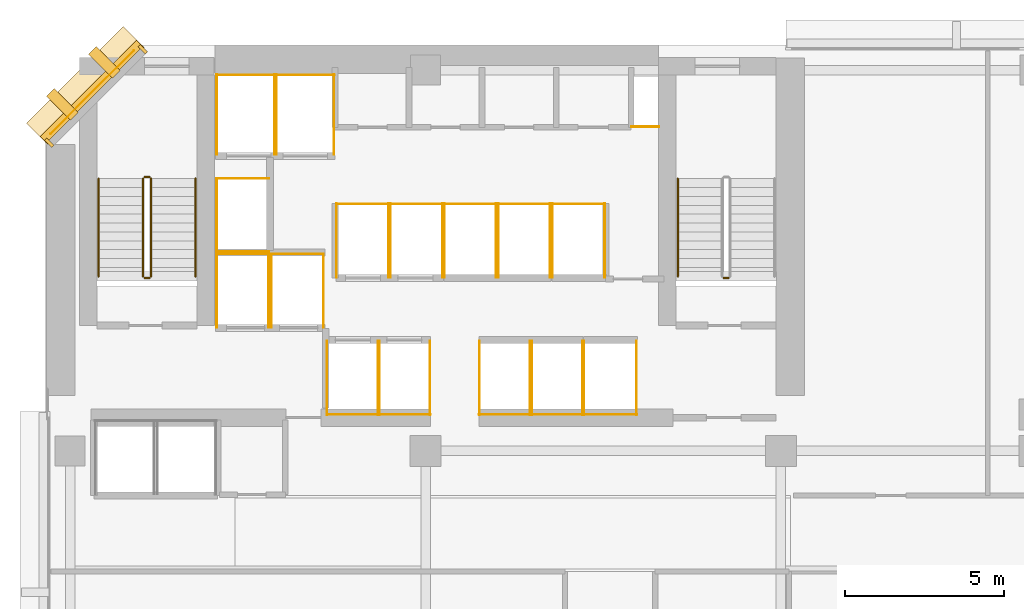
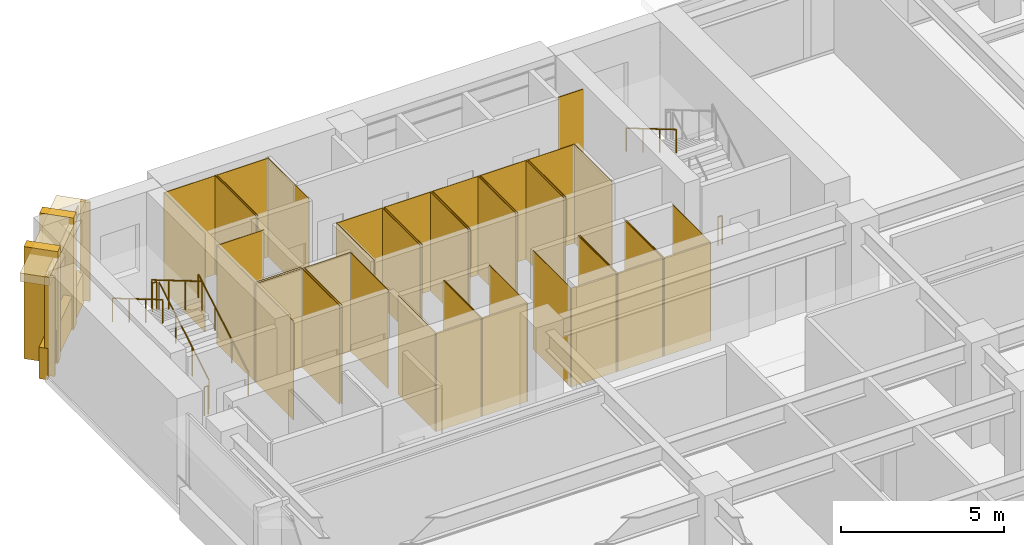
# One storey, part 11 of 13: 53 coverings, 8 railings.
"""IFC4 building model written with IfcOpenShell, lengths in metres."""

from ifc_helpers import new_model, si_unit, direction, frame, origin, origin_2d, place, context, subcontext, project, spatial, polyline, rectangle, circle, outline, extrude, material, layer, layer_set, type_object, element, save


model = new_model("IFC4")

# Units and contexts
model_context = context("Model", 3, precision=1e-05, world=origin(), true_north=direction((0.0, 1.0)))
body_context = subcontext(model_context, "Body", "Model", "MODEL_VIEW")
ifc_project = project(units=[si_unit("LENGTHUNIT", "METRE"), si_unit("AREAUNIT", "SQUARE_METRE"), si_unit("VOLUMEUNIT", "CUBIC_METRE"), si_unit("PLANEANGLEUNIT", "RADIAN"), si_unit("MASSUNIT", "GRAM", prefix="KILO")], contexts=[model_context])

# Site, building, storey
site_placement = place(None, origin())
site = spatial("IfcSite", under=ifc_project, at=site_placement, CompositionType="ELEMENT")
building_placement = place(site_placement, origin())
building = spatial("IfcBuilding", under=site, at=building_placement, Name="Kefirva Bronze Tower", CompositionType="ELEMENT")
storey_placement = place(building_placement, frame((0.0, 0.0, 73.919921875)))
storey = spatial("IfcBuildingStorey", under=building, at=storey_placement, Name="L17", CompositionType="ELEMENT", Elevation=73.919921875)

# Coverings
ifc_material_1 = material(Name="Bronze anodised aluminium", Category="aluminium")
ifc_layer_1 = layer(ifc_material_1, 0.02001953125, Name="Bronze anodised aluminium")
ifc_layer_set_1 = layer_set([ifc_layer_1], Name="Bronze anodised aluminium")
covering_type_1 = type_object("IfcCoveringType", Name="Anodised Bronze Spandrel Cladding 20mm", PredefinedType="CLADDING", material=ifc_layer_set_1)
covering_1_placement = place(storey_placement, frame((1.492919921875, 44.507080078125, 3.2900390625), z_axis=(0.0, 0.0, 1.0), x_axis=(-0.707106781187, -0.707106781187, 0.0)))
element("IfcCovering", 1, at=covering_1_placement, inside=storey, type_object=covering_type_1, Name="L17 Bronze Spandrel Cladding 6", PredefinedType="CLADDING", context=body_context, shape_type="SweptSolid", body=[
    extrude(rectangle(XDim=3.719482421875, YDim=0.02001953125, at=origin_2d()), origin(), (0.0, 0.0, 1.0), 0.39990234375),
])
for number, where, z_axis, x_axis, name in (
    (2, (3.08837890625, 45.862060546875, 0.0), (0.0, 0.0, 1.0), (-0.707106781187, -0.707106781187, 0.0), "L17 Facade Joint Closure Panel 6S"),
    (3, (0.137939453125, 42.91162109375, 0.0), (0.0, 0.0, 1.0), (-0.707106781187, -0.707106781187, 0.0), "L17 Facade Joint Closure Panel 6E"),
):
    element("IfcCovering", number, at=place(storey_placement, frame(where, z_axis=z_axis, x_axis=x_axis)), inside=storey, type_object=covering_type_1, Name=name, PredefinedType="CLADDING", context=body_context, shape_type="SweptSolid", body=[
        extrude(rectangle(XDim=0.10009765625, YDim=0.320068359375, at=origin_2d()), origin(), (0.0, 0.0, 1.0), 3.7099609375),
    ])
covering_2_placement = place(storey_placement, frame((1.4716796875, 44.5283203125, -0.15966796875), z_axis=(0.0, 0.0, 1.0), x_axis=(-0.707106781187, -0.707106781187, 0.0)))
element("IfcCovering", 4, at=covering_2_placement, inside=storey, type_object=covering_type_1, Name="L17 Streamline Horizontal Spandrel Band 9", PredefinedType="CLADDING", context=body_context, shape_type="SweptSolid", body=[
    extrude(rectangle(XDim=4.28271484375, YDim=0.280029296875, at=origin_2d()), origin(), (0.0, 0.0, 1.0), 1.179931640625),
])
covering_3_placement = place(storey_placement, origin())
element("IfcCovering", 5, at=covering_3_placement, inside=storey, type_object=covering_type_1, Name="L17 Lift FF1 Hoistway Liner N", PredefinedType="CLADDING", context=body_context, shape_type="SweptSolid", body=[
    extrude(outline(polyline([(5.39990234375, 39.389892578125), (7.080078125, 39.389892578125), (7.080078125, 39.409912109375), (5.39990234375, 39.409912109375), (5.39990234375, 39.389892578125)])), origin(), (0.0, 0.0, 1.0), 3.7099609375),
])
covering_4_placement = place(storey_placement, origin())
element("IfcCovering", 6, at=covering_4_placement, inside=storey, type_object=covering_type_1, Name="L17 Lift FF1 Hoistway Liner W", PredefinedType="CLADDING", context=body_context, shape_type="SweptSolid", body=[
    extrude(outline(polyline([(5.409912109375, 37.080078125), (5.429931640625, 37.080078125), (5.429931640625, 39.419921875), (5.409912109375, 39.419921875), (5.409912109375, 37.080078125)])), origin(), (0.0, 0.0, 1.0), 3.7099609375),
])
covering_5_placement = place(storey_placement, origin())
element("IfcCovering", 7, at=covering_5_placement, inside=storey, type_object=covering_type_1, Name="L17 Lift FF1 Hoistway Liner E", PredefinedType="CLADDING", context=body_context, shape_type="SweptSolid", body=[
    extrude(outline(polyline([(7.050048828125, 37.080078125), (7.070068359375, 37.080078125), (7.070068359375, 39.419921875), (7.050048828125, 39.419921875), (7.050048828125, 37.080078125)])), origin(), (0.0, 0.0, 1.0), 3.7099609375),
])
covering_6_placement = place(storey_placement, origin())
element("IfcCovering", 8, at=covering_6_placement, inside=storey, type_object=covering_type_1, Name="L17 Lift FF2 Hoistway Liner N", PredefinedType="CLADDING", context=body_context, shape_type="SweptSolid", body=[
    extrude(outline(polyline([(7.1201171875, 39.389892578125), (8.800048828125, 39.389892578125), (8.800048828125, 39.409912109375), (7.1201171875, 39.409912109375), (7.1201171875, 39.389892578125)])), origin(), (0.0, 0.0, 1.0), 3.7099609375),
])
covering_7_placement = place(storey_placement, origin())
element("IfcCovering", 9, at=covering_7_placement, inside=storey, type_object=covering_type_1, Name="L17 Lift FF2 Hoistway Liner W", PredefinedType="CLADDING", context=body_context, shape_type="SweptSolid", body=[
    extrude(outline(polyline([(7.1298828125, 37.080078125), (7.14990234375, 37.080078125), (7.14990234375, 39.419921875), (7.1298828125, 39.419921875), (7.1298828125, 37.080078125)])), origin(), (0.0, 0.0, 1.0), 3.7099609375),
])
covering_8_placement = place(storey_placement, origin())
element("IfcCovering", 10, at=covering_8_placement, inside=storey, type_object=covering_type_1, Name="L17 Lift FF2 Hoistway Liner E", PredefinedType="CLADDING", context=body_context, shape_type="SweptSolid", body=[
    extrude(outline(polyline([(8.77001953125, 37.080078125), (8.7900390625, 37.080078125), (8.7900390625, 39.419921875), (8.77001953125, 39.419921875), (8.77001953125, 37.080078125)])), origin(), (0.0, 0.0, 1.0), 3.7099609375),
])
covering_9_placement = place(storey_placement, origin())
element("IfcCovering", 11, at=covering_9_placement, inside=storey, type_object=covering_type_1, Name="L17 Lift SV1 Hoistway Liner N", PredefinedType="CLADDING", context=body_context, shape_type="SweptSolid", body=[
    extrude(outline(polyline([(5.39990234375, 45.0400390625), (7.260009765625, 45.0400390625), (7.260009765625, 45.06005859375), (5.39990234375, 45.06005859375), (5.39990234375, 45.0400390625)])), origin(), (0.0, 0.0, 1.0), 3.7099609375),
])
covering_10_placement = place(storey_placement, origin())
element("IfcCovering", 12, at=covering_10_placement, inside=storey, type_object=covering_type_1, Name="L17 Lift SV1 Hoistway Liner W", PredefinedType="CLADDING", context=body_context, shape_type="SweptSolid", body=[
    extrude(outline(polyline([(5.409912109375, 42.530029296875), (5.429931640625, 42.530029296875), (5.429931640625, 45.070068359375), (5.409912109375, 45.070068359375), (5.409912109375, 42.530029296875)])), origin(), (0.0, 0.0, 1.0), 3.7099609375),
])
covering_11_placement = place(storey_placement, origin())
element("IfcCovering", 13, at=covering_11_placement, inside=storey, type_object=covering_type_1, Name="L17 Lift SV1 Hoistway Liner E", PredefinedType="CLADDING", context=body_context, shape_type="SweptSolid", body=[
    extrude(outline(polyline([(7.22998046875, 42.530029296875), (7.25, 42.530029296875), (7.25, 45.070068359375), (7.22998046875, 45.070068359375), (7.22998046875, 42.530029296875)])), origin(), (0.0, 0.0, 1.0), 3.7099609375),
])
covering_12_placement = place(storey_placement, origin())
element("IfcCovering", 14, at=covering_12_placement, inside=storey, type_object=covering_type_1, Name="L17 Lift SV2 Hoistway Liner N", PredefinedType="CLADDING", context=body_context, shape_type="SweptSolid", body=[
    extrude(outline(polyline([(7.280029296875, 45.0400390625), (9.139892578125, 45.0400390625), (9.139892578125, 45.06005859375), (7.280029296875, 45.06005859375), (7.280029296875, 45.0400390625)])), origin(), (0.0, 0.0, 1.0), 3.7099609375),
])
covering_13_placement = place(storey_placement, origin())
element("IfcCovering", 15, at=covering_13_placement, inside=storey, type_object=covering_type_1, Name="L17 Lift SV2 Hoistway Liner W", PredefinedType="CLADDING", context=body_context, shape_type="SweptSolid", body=[
    extrude(outline(polyline([(7.2900390625, 42.530029296875), (7.31005859375, 42.530029296875), (7.31005859375, 45.070068359375), (7.2900390625, 45.070068359375), (7.2900390625, 42.530029296875)])), origin(), (0.0, 0.0, 1.0), 3.7099609375),
])
covering_14_placement = place(storey_placement, origin())
element("IfcCovering", 16, at=covering_14_placement, inside=storey, type_object=covering_type_1, Name="L17 Lift SV2 Hoistway Liner E", PredefinedType="CLADDING", context=body_context, shape_type="SweptSolid", body=[
    extrude(outline(polyline([(9.110107421875, 42.530029296875), (9.1298828125, 42.530029296875), (9.1298828125, 45.070068359375), (9.110107421875, 45.070068359375), (9.110107421875, 42.530029296875)])), origin(), (0.0, 0.0, 1.0), 3.7099609375),
])
covering_15_placement = place(storey_placement, origin())
element("IfcCovering", 17, at=covering_15_placement, inside=storey, type_object=covering_type_1, Name="L17 Lift LP1 Hoistway Liner S", PredefinedType="CLADDING", context=body_context, shape_type="SweptSolid", body=[
    extrude(outline(polyline([(8.8798828125, 34.340087890625), (10.52001953125, 34.340087890625), (10.52001953125, 34.360107421875), (8.8798828125, 34.360107421875), (8.8798828125, 34.340087890625)])), origin(), (0.0, 0.0, 1.0), 3.7099609375),
])
covering_16_placement = place(storey_placement, origin())
element("IfcCovering", 18, at=covering_16_placement, inside=storey, type_object=covering_type_1, Name="L17 Lift LP1 Hoistway Liner W", PredefinedType="CLADDING", context=body_context, shape_type="SweptSolid", body=[
    extrude(outline(polyline([(8.889892578125, 34.330078125), (8.909912109375, 34.330078125), (8.909912109375, 36.669921875), (8.889892578125, 36.669921875), (8.889892578125, 34.330078125)])), origin(), (0.0, 0.0, 1.0), 3.7099609375),
])
covering_17_placement = place(storey_placement, origin())
element("IfcCovering", 19, at=covering_17_placement, inside=storey, type_object=covering_type_1, Name="L17 Lift LP1 Hoistway Liner E", PredefinedType="CLADDING", context=body_context, shape_type="SweptSolid", body=[
    extrude(outline(polyline([(10.489990234375, 34.330078125), (10.510009765625, 34.330078125), (10.510009765625, 36.669921875), (10.489990234375, 36.669921875), (10.489990234375, 34.330078125)])), origin(), (0.0, 0.0, 1.0), 3.7099609375),
])
covering_18_placement = place(storey_placement, origin())
element("IfcCovering", 20, at=covering_18_placement, inside=storey, type_object=covering_type_1, Name="L17 Lift LP2 Hoistway Liner S", PredefinedType="CLADDING", context=body_context, shape_type="SweptSolid", body=[
    extrude(outline(polyline([(10.52001953125, 34.340087890625), (12.159912109375, 34.340087890625), (12.159912109375, 34.360107421875), (10.52001953125, 34.360107421875), (10.52001953125, 34.340087890625)])), origin(), (0.0, 0.0, 1.0), 3.7099609375),
])
covering_19_placement = place(storey_placement, origin())
element("IfcCovering", 21, at=covering_19_placement, inside=storey, type_object=covering_type_1, Name="L17 Lift LP2 Hoistway Liner W", PredefinedType="CLADDING", context=body_context, shape_type="SweptSolid", body=[
    extrude(outline(polyline([(10.530029296875, 34.330078125), (10.550048828125, 34.330078125), (10.550048828125, 36.669921875), (10.530029296875, 36.669921875), (10.530029296875, 34.330078125)])), origin(), (0.0, 0.0, 1.0), 3.7099609375),
])
covering_20_placement = place(storey_placement, origin())
element("IfcCovering", 22, at=covering_20_placement, inside=storey, type_object=covering_type_1, Name="L17 Lift LP2 Hoistway Liner E", PredefinedType="CLADDING", context=body_context, shape_type="SweptSolid", body=[
    extrude(outline(polyline([(12.1298828125, 34.330078125), (12.14990234375, 34.330078125), (12.14990234375, 36.669921875), (12.1298828125, 36.669921875), (12.1298828125, 34.330078125)])), origin(), (0.0, 0.0, 1.0), 3.7099609375),
])
covering_21_placement = place(storey_placement, origin())
element("IfcCovering", 23, at=covering_21_placement, inside=storey, type_object=covering_type_1, Name="L17 Lift LP3 Hoistway Liner N", PredefinedType="CLADDING", context=body_context, shape_type="SweptSolid", body=[
    extrude(outline(polyline([(9.179931640625, 40.969970703125), (10.85009765625, 40.969970703125), (10.85009765625, 40.989990234375), (9.179931640625, 40.989990234375), (9.179931640625, 40.969970703125)])), origin(), (0.0, 0.0, 1.0), 3.7099609375),
])
covering_22_placement = place(storey_placement, origin())
element("IfcCovering", 24, at=covering_22_placement, inside=storey, type_object=covering_type_1, Name="L17 Lift LP3 Hoistway Liner W", PredefinedType="CLADDING", context=body_context, shape_type="SweptSolid", body=[
    extrude(outline(polyline([(9.18994140625, 38.659912109375), (9.2099609375, 38.659912109375), (9.2099609375, 41.0), (9.18994140625, 41.0), (9.18994140625, 38.659912109375)])), origin(), (0.0, 0.0, 1.0), 3.7099609375),
])
covering_23_placement = place(storey_placement, origin())
element("IfcCovering", 25, at=covering_23_placement, inside=storey, type_object=covering_type_1, Name="L17 Lift LP3 Hoistway Liner E", PredefinedType="CLADDING", context=body_context, shape_type="SweptSolid", body=[
    extrude(outline(polyline([(10.820068359375, 38.659912109375), (10.840087890625, 38.659912109375), (10.840087890625, 41.0), (10.820068359375, 41.0), (10.820068359375, 38.659912109375)])), origin(), (0.0, 0.0, 1.0), 3.7099609375),
])
covering_24_placement = place(storey_placement, origin())
element("IfcCovering", 26, at=covering_24_placement, inside=storey, type_object=covering_type_1, Name="L17 Lift LP4 Hoistway Liner N", PredefinedType="CLADDING", context=body_context, shape_type="SweptSolid", body=[
    extrude(outline(polyline([(10.8798828125, 40.969970703125), (12.550048828125, 40.969970703125), (12.550048828125, 40.989990234375), (10.8798828125, 40.989990234375), (10.8798828125, 40.969970703125)])), origin(), (0.0, 0.0, 1.0), 3.7099609375),
])
covering_25_placement = place(storey_placement, origin())
element("IfcCovering", 27, at=covering_25_placement, inside=storey, type_object=covering_type_1, Name="L17 Lift LP4 Hoistway Liner W", PredefinedType="CLADDING", context=body_context, shape_type="SweptSolid", body=[
    extrude(outline(polyline([(10.889892578125, 38.659912109375), (10.909912109375, 38.659912109375), (10.909912109375, 41.0), (10.889892578125, 41.0), (10.889892578125, 38.659912109375)])), origin(), (0.0, 0.0, 1.0), 3.7099609375),
])
covering_26_placement = place(storey_placement, origin())
element("IfcCovering", 28, at=covering_26_placement, inside=storey, type_object=covering_type_1, Name="L17 Lift LP4 Hoistway Liner E", PredefinedType="CLADDING", context=body_context, shape_type="SweptSolid", body=[
    extrude(outline(polyline([(12.52001953125, 38.659912109375), (12.5400390625, 38.659912109375), (12.5400390625, 41.0), (12.52001953125, 41.0), (12.52001953125, 38.659912109375)])), origin(), (0.0, 0.0, 1.0), 3.7099609375),
])
covering_27_placement = place(storey_placement, origin())
element("IfcCovering", 29, at=covering_27_placement, inside=storey, type_object=covering_type_1, Name="L17 Lift MP1 Hoistway Liner S", PredefinedType="CLADDING", context=body_context, shape_type="SweptSolid", body=[
    extrude(outline(polyline([(13.679931640625, 34.340087890625), (15.320068359375, 34.340087890625), (15.320068359375, 34.360107421875), (13.679931640625, 34.360107421875), (13.679931640625, 34.340087890625)])), origin(), (0.0, 0.0, 1.0), 3.7099609375),
])
covering_28_placement = place(storey_placement, origin())
element("IfcCovering", 30, at=covering_28_placement, inside=storey, type_object=covering_type_1, Name="L17 Lift MP1 Hoistway Liner W", PredefinedType="CLADDING", context=body_context, shape_type="SweptSolid", body=[
    extrude(outline(polyline([(13.68994140625, 34.330078125), (13.7099609375, 34.330078125), (13.7099609375, 36.669921875), (13.68994140625, 36.669921875), (13.68994140625, 34.330078125)])), origin(), (0.0, 0.0, 1.0), 3.7099609375),
])
covering_29_placement = place(storey_placement, origin())
element("IfcCovering", 31, at=covering_29_placement, inside=storey, type_object=covering_type_1, Name="L17 Lift MP1 Hoistway Liner E", PredefinedType="CLADDING", context=body_context, shape_type="SweptSolid", body=[
    extrude(outline(polyline([(15.2900390625, 34.330078125), (15.31005859375, 34.330078125), (15.31005859375, 36.669921875), (15.2900390625, 36.669921875), (15.2900390625, 34.330078125)])), origin(), (0.0, 0.0, 1.0), 3.7099609375),
])
covering_30_placement = place(storey_placement, origin())
element("IfcCovering", 32, at=covering_30_placement, inside=storey, type_object=covering_type_1, Name="L17 Lift MP2 Hoistway Liner S", PredefinedType="CLADDING", context=body_context, shape_type="SweptSolid", body=[
    extrude(outline(polyline([(15.330078125, 34.340087890625), (16.969970703125, 34.340087890625), (16.969970703125, 34.360107421875), (15.330078125, 34.360107421875), (15.330078125, 34.340087890625)])), origin(), (0.0, 0.0, 1.0), 3.7099609375),
])
covering_31_placement = place(storey_placement, origin())
element("IfcCovering", 33, at=covering_31_placement, inside=storey, type_object=covering_type_1, Name="L17 Lift MP2 Hoistway Liner W", PredefinedType="CLADDING", context=body_context, shape_type="SweptSolid", body=[
    extrude(outline(polyline([(15.340087890625, 34.330078125), (15.360107421875, 34.330078125), (15.360107421875, 36.669921875), (15.340087890625, 36.669921875), (15.340087890625, 34.330078125)])), origin(), (0.0, 0.0, 1.0), 3.7099609375),
])
covering_32_placement = place(storey_placement, origin())
element("IfcCovering", 34, at=covering_32_placement, inside=storey, type_object=covering_type_1, Name="L17 Lift MP2 Hoistway Liner E", PredefinedType="CLADDING", context=body_context, shape_type="SweptSolid", body=[
    extrude(outline(polyline([(16.93994140625, 34.330078125), (16.9599609375, 34.330078125), (16.9599609375, 36.669921875), (16.93994140625, 36.669921875), (16.93994140625, 34.330078125)])), origin(), (0.0, 0.0, 1.0), 3.7099609375),
])
covering_33_placement = place(storey_placement, origin())
element("IfcCovering", 35, at=covering_33_placement, inside=storey, type_object=covering_type_1, Name="L17 Lift MP3 Hoistway Liner N", PredefinedType="CLADDING", context=body_context, shape_type="SweptSolid", body=[
    extrude(outline(polyline([(12.580078125, 40.969970703125), (14.25, 40.969970703125), (14.25, 40.989990234375), (12.580078125, 40.989990234375), (12.580078125, 40.969970703125)])), origin(), (0.0, 0.0, 1.0), 3.7099609375),
])
covering_34_placement = place(storey_placement, origin())
element("IfcCovering", 36, at=covering_34_placement, inside=storey, type_object=covering_type_1, Name="L17 Lift MP3 Hoistway Liner W", PredefinedType="CLADDING", context=body_context, shape_type="SweptSolid", body=[
    extrude(outline(polyline([(12.590087890625, 38.659912109375), (12.610107421875, 38.659912109375), (12.610107421875, 41.0), (12.590087890625, 41.0), (12.590087890625, 38.659912109375)])), origin(), (0.0, 0.0, 1.0), 3.7099609375),
])
covering_35_placement = place(storey_placement, origin())
element("IfcCovering", 37, at=covering_35_placement, inside=storey, type_object=covering_type_1, Name="L17 Lift MP3 Hoistway Liner E", PredefinedType="CLADDING", context=body_context, shape_type="SweptSolid", body=[
    extrude(outline(polyline([(14.219970703125, 38.659912109375), (14.239990234375, 38.659912109375), (14.239990234375, 41.0), (14.219970703125, 41.0), (14.219970703125, 38.659912109375)])), origin(), (0.0, 0.0, 1.0), 3.7099609375),
])
covering_36_placement = place(storey_placement, origin())
element("IfcCovering", 38, at=covering_36_placement, inside=storey, type_object=covering_type_1, Name="L17 Lift MP4 Hoistway Liner N", PredefinedType="CLADDING", context=body_context, shape_type="SweptSolid", body=[
    extrude(outline(polyline([(14.280029296875, 40.969970703125), (15.949951171875, 40.969970703125), (15.949951171875, 40.989990234375), (14.280029296875, 40.989990234375), (14.280029296875, 40.969970703125)])), origin(), (0.0, 0.0, 1.0), 3.7099609375),
])
covering_37_placement = place(storey_placement, origin())
element("IfcCovering", 39, at=covering_37_placement, inside=storey, type_object=covering_type_1, Name="L17 Lift MP4 Hoistway Liner W", PredefinedType="CLADDING", context=body_context, shape_type="SweptSolid", body=[
    extrude(outline(polyline([(14.2900390625, 38.659912109375), (14.31005859375, 38.659912109375), (14.31005859375, 41.0), (14.2900390625, 41.0), (14.2900390625, 38.659912109375)])), origin(), (0.0, 0.0, 1.0), 3.7099609375),
])
covering_38_placement = place(storey_placement, origin())
element("IfcCovering", 40, at=covering_38_placement, inside=storey, type_object=covering_type_1, Name="L17 Lift MP4 Hoistway Liner E", PredefinedType="CLADDING", context=body_context, shape_type="SweptSolid", body=[
    extrude(outline(polyline([(15.919921875, 38.659912109375), (15.93994140625, 38.659912109375), (15.93994140625, 41.0), (15.919921875, 41.0), (15.919921875, 38.659912109375)])), origin(), (0.0, 0.0, 1.0), 3.7099609375),
])
covering_39_placement = place(storey_placement, origin())
element("IfcCovering", 41, at=covering_39_placement, inside=storey, type_object=covering_type_1, Name="L17 Lift HP1 Hoistway Liner S", PredefinedType="CLADDING", context=body_context, shape_type="SweptSolid", body=[
    extrude(outline(polyline([(16.97998046875, 34.340087890625), (18.669921875, 34.340087890625), (18.669921875, 34.360107421875), (16.97998046875, 34.360107421875), (16.97998046875, 34.340087890625)])), origin(), (0.0, 0.0, 1.0), 3.7099609375),
])
covering_40_placement = place(storey_placement, origin())
element("IfcCovering", 42, at=covering_40_placement, inside=storey, type_object=covering_type_1, Name="L17 Lift HP1 Hoistway Liner W", PredefinedType="CLADDING", context=body_context, shape_type="SweptSolid", body=[
    extrude(outline(polyline([(16.989990234375, 34.330078125), (17.010009765625, 34.330078125), (17.010009765625, 36.669921875), (16.989990234375, 36.669921875), (16.989990234375, 34.330078125)])), origin(), (0.0, 0.0, 1.0), 3.7099609375),
])
covering_41_placement = place(storey_placement, origin())
element("IfcCovering", 43, at=covering_41_placement, inside=storey, type_object=covering_type_1, Name="L17 Lift HP1 Hoistway Liner E", PredefinedType="CLADDING", context=body_context, shape_type="SweptSolid", body=[
    extrude(outline(polyline([(18.639892578125, 34.330078125), (18.659912109375, 34.330078125), (18.659912109375, 36.669921875), (18.639892578125, 36.669921875), (18.639892578125, 34.330078125)])), origin(), (0.0, 0.0, 1.0), 3.7099609375),
])
covering_42_placement = place(storey_placement, origin())
element("IfcCovering", 44, at=covering_42_placement, inside=storey, type_object=covering_type_1, Name="L17 Lift HP2 Hoistway Liner N", PredefinedType="CLADDING", context=body_context, shape_type="SweptSolid", body=[
    extrude(outline(polyline([(15.97998046875, 40.969970703125), (17.669921875, 40.969970703125), (17.669921875, 40.989990234375), (15.97998046875, 40.989990234375), (15.97998046875, 40.969970703125)])), origin(), (0.0, 0.0, 1.0), 3.7099609375),
])
covering_43_placement = place(storey_placement, origin())
element("IfcCovering", 45, at=covering_43_placement, inside=storey, type_object=covering_type_1, Name="L17 Lift HP2 Hoistway Liner W", PredefinedType="CLADDING", context=body_context, shape_type="SweptSolid", body=[
    extrude(outline(polyline([(15.989990234375, 38.659912109375), (16.010009765625, 38.659912109375), (16.010009765625, 41.0), (15.989990234375, 41.0), (15.989990234375, 38.659912109375)])), origin(), (0.0, 0.0, 1.0), 3.7099609375),
])
covering_44_placement = place(storey_placement, origin())
element("IfcCovering", 46, at=covering_44_placement, inside=storey, type_object=covering_type_1, Name="L17 Lift HP2 Hoistway Liner E", PredefinedType="CLADDING", context=body_context, shape_type="SweptSolid", body=[
    extrude(outline(polyline([(17.639892578125, 38.659912109375), (17.659912109375, 38.659912109375), (17.659912109375, 41.0), (17.639892578125, 41.0), (17.639892578125, 38.659912109375)])), origin(), (0.0, 0.0, 1.0), 3.7099609375),
])
covering_45_placement = place(storey_placement, origin())
element("IfcCovering", 47, at=covering_45_placement, inside=storey, type_object=covering_type_1, Name="L17 Lift HP3 Hoistway Liner N", PredefinedType="CLADDING", context=body_context, shape_type="SweptSolid", body=[
    extrude(outline(polyline([(5.39990234375, 41.77001953125), (7.080078125, 41.77001953125), (7.080078125, 41.7900390625), (5.39990234375, 41.7900390625), (5.39990234375, 41.77001953125)])), origin(), (0.0, 0.0, 1.0), 3.7099609375),
])
covering_46_placement = place(storey_placement, origin())
element("IfcCovering", 48, at=covering_46_placement, inside=storey, type_object=covering_type_1, Name="L17 Lift HP3 Hoistway Liner S", PredefinedType="CLADDING", context=body_context, shape_type="SweptSolid", body=[
    extrude(outline(polyline([(5.39990234375, 39.469970703125), (7.080078125, 39.469970703125), (7.080078125, 39.489990234375), (5.39990234375, 39.489990234375), (5.39990234375, 39.469970703125)])), origin(), (0.0, 0.0, 1.0), 3.7099609375),
])
covering_47_placement = place(storey_placement, origin())
element("IfcCovering", 49, at=covering_47_placement, inside=storey, type_object=covering_type_1, Name="L17 Lift HP3 Hoistway Liner W", PredefinedType="CLADDING", context=body_context, shape_type="SweptSolid", body=[
    extrude(outline(polyline([(5.409912109375, 39.4599609375), (5.429931640625, 39.4599609375), (5.429931640625, 41.800048828125), (5.409912109375, 41.800048828125), (5.409912109375, 39.4599609375)])), origin(), (0.0, 0.0, 1.0), 3.7099609375),
])
covering_48_placement = place(storey_placement, origin())
element("IfcCovering", 50, at=covering_48_placement, inside=storey, type_object=covering_type_1, Name="L17 Core MEP Riser Shaft Liner South", PredefinedType="CLADDING", context=body_context, shape_type="SweptSolid", body=[
    extrude(outline(polyline([(18.47998046875, 43.39990234375), (19.360107421875, 43.39990234375), (19.360107421875, 43.429931640625), (18.47998046875, 43.429931640625), (18.47998046875, 43.39990234375)])), origin(), (0.0, 0.0, 1.0), 3.7099609375),
])

# Railings
ifc_material_2 = material(Name="Stainless steel 316", Category="steel")
railing_type_1 = type_object("IfcRailingType", Name="Interior Stair Guardrail 1100mm", PredefinedType="GUARDRAIL", material=ifc_material_2)
railing_1_placement = place(storey_placement, frame((3.35009765625, 38.699951171875, 0.1650390625)))
element("IfcRailing", 51, at=railing_1_placement, inside=storey, type_object=railing_type_1, Name="L17 ST-1 stair guard 1", PredefinedType="GUARDRAIL", context=body_context, shape_type="SweptSolid", body=[
    extrude(circle(Radius=0.02392578125, at=origin_2d()), frame((0.0, 0.0, 1.076171875), z_axis=(0.0, 0.861551262678, 0.507670583921), x_axis=(-1.0, 0.0, 0.0)), (0.0, 0.0, 1.0), 3.574951171875),
    extrude(circle(Radius=0.02099609375, at=origin_2d()), origin(), (0.0, 0.0, 1.0), 1.052001953125),
    extrude(circle(Radius=0.02099609375, at=origin_2d()), frame((0.0, 1.026611328125, 0.60498046875)), (0.0, 0.0, 1.0), 1.052001953125),
    extrude(circle(Radius=0.02099609375, at=origin_2d()), frame((0.0, 2.053466796875, 1.2099609375)), (0.0, 0.0, 1.0), 1.052001953125),
    extrude(circle(Radius=0.02099609375, at=origin_2d()), frame((0.0, 3.080078125, 1.81494140625)), (0.0, 0.0, 1.0), 1.052001953125),
])
railing_2_placement = place(storey_placement, frame((3.300048828125, 41.830078125, 1.97998046875)))
element("IfcRailing", 52, at=railing_2_placement, inside=storey, type_object=railing_type_1, Name="L17 ST-1 stair guard 2", PredefinedType="GUARDRAIL", context=body_context, shape_type="SweptSolid", body=[
    extrude(circle(Radius=0.02392578125, at=origin_2d()), frame((0.0, 0.0, 1.076171875), z_axis=(-1.0, 0.0, 0.0), x_axis=(0.0, -1.0, 0.0)), (0.0, 0.0, 1.0), 0.150146484375),
    extrude(circle(Radius=0.02099609375, at=origin_2d()), origin(), (0.0, 0.0, 1.0), 1.052001953125),
    extrude(circle(Radius=0.02099609375, at=origin_2d()), frame((-0.150146484375, 0.0, 0.0)), (0.0, 0.0, 1.0), 1.052001953125),
])
railing_3_placement = place(storey_placement, frame((3.10009765625, 41.780029296875, 2.14501953125)))
element("IfcRailing", 53, at=railing_3_placement, inside=storey, type_object=railing_type_1, Name="L17 ST-1 stair guard 3", PredefinedType="GUARDRAIL", context=body_context, shape_type="SweptSolid", body=[
    extrude(circle(Radius=0.02392578125, at=origin_2d()), frame((0.0, 0.0, 1.076171875), z_axis=(0.0, -0.861551262678, 0.507670583921), x_axis=(1.0, 0.0, 0.0)), (0.0, 0.0, 1.0), 3.574951171875),
    extrude(circle(Radius=0.02099609375, at=origin_2d()), origin(), (0.0, 0.0, 1.0), 1.052001953125),
    extrude(circle(Radius=0.02099609375, at=origin_2d()), frame((0.0, -1.026611328125, 0.60498046875)), (0.0, 0.0, 1.0), 1.052001953125),
    extrude(circle(Radius=0.02099609375, at=origin_2d()), frame((0.0, -2.053466796875, 1.2099609375)), (0.0, 0.0, 1.0), 1.052001953125),
    extrude(circle(Radius=0.02099609375, at=origin_2d()), frame((0.0, -3.080078125, 1.81494140625)), (0.0, 0.0, 1.0), 1.052001953125),
])
for number, where, name in (
    (54, (3.300048828125, 38.64990234375, 0.0), "L17 ST-1 stair guard 4"),
    (55, (21.550048828125, 38.64990234375, 0.0), "L17 ST-2 stair guard 4"),
):
    element("IfcRailing", number, at=place(storey_placement, frame(where)), inside=storey, type_object=railing_type_1, Name=name, PredefinedType="GUARDRAIL", context=body_context, shape_type="SweptSolid", body=[
        extrude(circle(Radius=0.02392578125, at=origin_2d()), frame((0.0, 0.0, 1.076171875), z_axis=(-1.0, 0.0, 0.0), x_axis=(0.0, -1.0, 0.0)), (0.0, 0.0, 1.0), 0.150146484375),
        extrude(circle(Radius=0.02099609375, at=origin_2d()), origin(), (0.0, 0.0, 1.0), 1.052001953125),
        extrude(circle(Radius=0.02099609375, at=origin_2d()), frame((-0.150146484375, 0.0, 0.0)), (0.0, 0.0, 1.0), 1.052001953125),
    ])
railing_type_2 = type_object("IfcRailingType", Name="Stair Pitch Handrail 900mm", PredefinedType="HANDRAIL", material=ifc_material_2)
railing_4_placement = place(storey_placement, frame((4.75, 38.699951171875, 0.1650390625)))
element("IfcRailing", 56, at=railing_4_placement, inside=storey, type_object=railing_type_2, Name="L17 ST-1 stair handrail 1", PredefinedType="HANDRAIL", context=body_context, shape_type="SweptSolid", body=[
    extrude(circle(Radius=0.02392578125, at=origin_2d()), frame((0.0, 0.0, 0.8759765625), z_axis=(0.0, 0.861551262678, 0.507670583921), x_axis=(-1.0, 0.0, 0.0)), (0.0, 0.0, 1.0), 3.574951171875),
    extrude(circle(Radius=0.02099609375, at=origin_2d()), origin(), (0.0, 0.0, 1.0), 0.851806640625),
    extrude(circle(Radius=0.02099609375, at=origin_2d()), frame((0.0, 1.026611328125, 0.60498046875)), (0.0, 0.0, 1.0), 0.851806640625),
    extrude(circle(Radius=0.02099609375, at=origin_2d()), frame((0.0, 2.053466796875, 1.2099609375)), (0.0, 0.0, 1.0), 0.851806640625),
    extrude(circle(Radius=0.02099609375, at=origin_2d()), frame((0.0, 3.080078125, 1.81494140625)), (0.0, 0.0, 1.0), 0.851806640625),
])
for number, where, name in (
    (57, (1.699951171875, 41.780029296875, 2.14501953125), "L17 ST-1 stair handrail 2"),
    (58, (19.949951171875, 41.780029296875, 2.14501953125), "L17 ST-2 stair handrail 2"),
):
    element("IfcRailing", number, at=place(storey_placement, frame(where)), inside=storey, type_object=railing_type_2, Name=name, PredefinedType="HANDRAIL", context=body_context, shape_type="SweptSolid", body=[
        extrude(circle(Radius=0.02392578125, at=origin_2d()), frame((0.0, 0.0, 0.8759765625), z_axis=(0.0, -0.861551262678, 0.507670583921), x_axis=(1.0, 0.0, 0.0)), (0.0, 0.0, 1.0), 3.574951171875),
        extrude(circle(Radius=0.02099609375, at=origin_2d()), origin(), (0.0, 0.0, 1.0), 0.851806640625),
        extrude(circle(Radius=0.02099609375, at=origin_2d()), frame((0.0, -1.026611328125, 0.60498046875)), (0.0, 0.0, 1.0), 0.851806640625),
        extrude(circle(Radius=0.02099609375, at=origin_2d()), frame((0.0, -2.053466796875, 1.2099609375)), (0.0, 0.0, 1.0), 0.851806640625),
        extrude(circle(Radius=0.02099609375, at=origin_2d()), frame((0.0, -3.080078125, 1.81494140625)), (0.0, 0.0, 1.0), 0.851806640625),
    ])

# Coverings
ifc_layer_2 = layer(ifc_material_1, 0.179931640625, Name="Bronze anodised aluminium")
ifc_layer_set_2 = layer_set([ifc_layer_2], Name="Bronze anodised aluminium")
covering_type_2 = type_object("IfcCoveringType", Name="Streamline Bronze Sunshade Eyebrow Cladding 180mm", PredefinedType="CLADDING", material=ifc_layer_set_2)
covering_49_placement = place(storey_placement, frame((1.28076171875, 44.71923828125, 3.39013671875), z_axis=(0.0, 0.0, 1.0), x_axis=(-0.707106781187, -0.707106781187, 0.0)))
element("IfcCovering", 59, at=covering_49_placement, inside=storey, type_object=covering_type_2, Name="L17 Streamline Bronze Sunshade Eyebrow 9", PredefinedType="CLADDING", context=body_context, shape_type="SweptSolid", body=[
    extrude(rectangle(XDim=4.322509765625, YDim=0.93994140625, at=origin_2d()), origin(), (0.0, 0.0, 1.0), 0.320068359375),
])
ifc_layer_3 = layer(ifc_material_1, 0.260009765625, Name="Bronze anodised aluminium")
ifc_layer_set_3 = layer_set([ifc_layer_3], Name="Bronze anodised aluminium")
covering_type_3 = type_object("IfcCoveringType", Name="Unbroken Bronze Buttress Fin Cladding 260mm", PredefinedType="CLADDING", material=ifc_layer_set_3)
for number, where, z_axis, x_axis, name in (
    (60, (1.877197265625, 45.44287109375, -0.25), (0.0, 0.0, 1.0), (-0.707106781187, -0.707106781187, 0.0), "L17 Chamfered Corner Buttress Fin Cladding 23"),
    (61, (0.55712890625, 44.122802734375, -0.25), (0.0, 0.0, 1.0), (-0.707106781187, -0.707106781187, 0.0), "L17 Chamfered Corner Buttress Fin Cladding 24"),
):
    element("IfcCovering", number, at=place(storey_placement, frame(where, z_axis=z_axis, x_axis=x_axis)), inside=storey, type_object=covering_type_3, Name=name, PredefinedType="CLADDING", context=body_context, shape_type="SweptSolid", body=[
        extrude(rectangle(XDim=0.340087890625, YDim=1.080078125, at=origin_2d()), origin(), (0.0, 0.0, 1.0), 4.2099609375),
    ])

save(model, "model.ifc")
